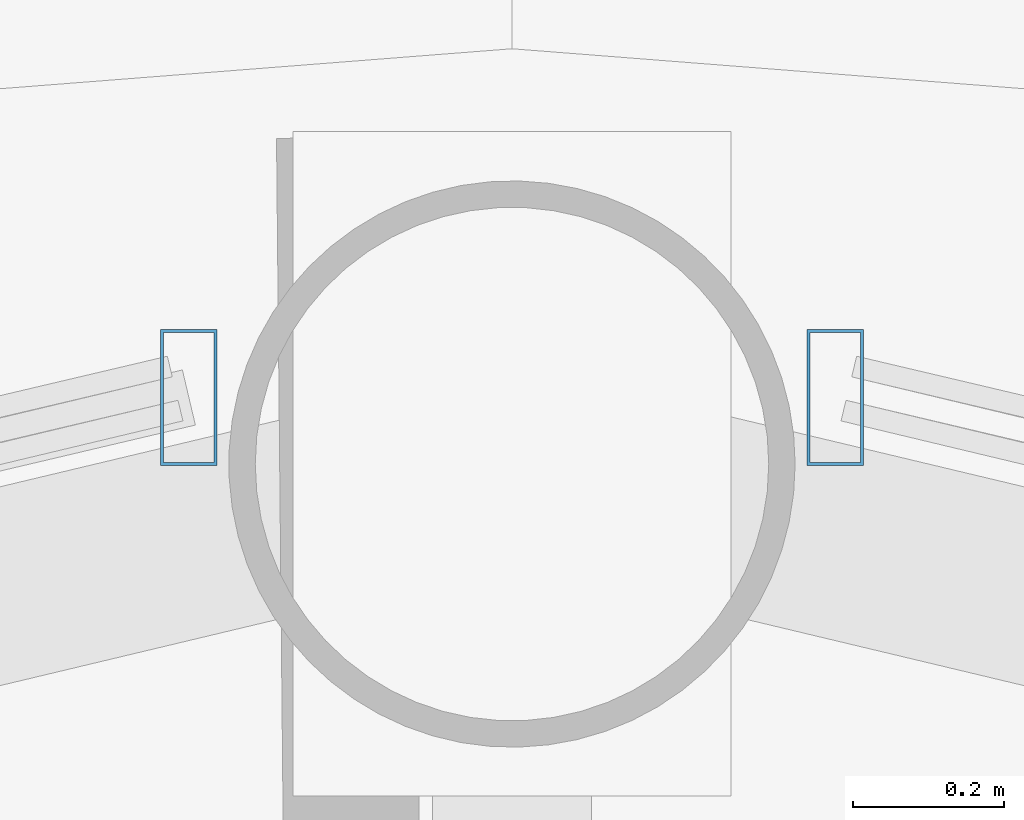
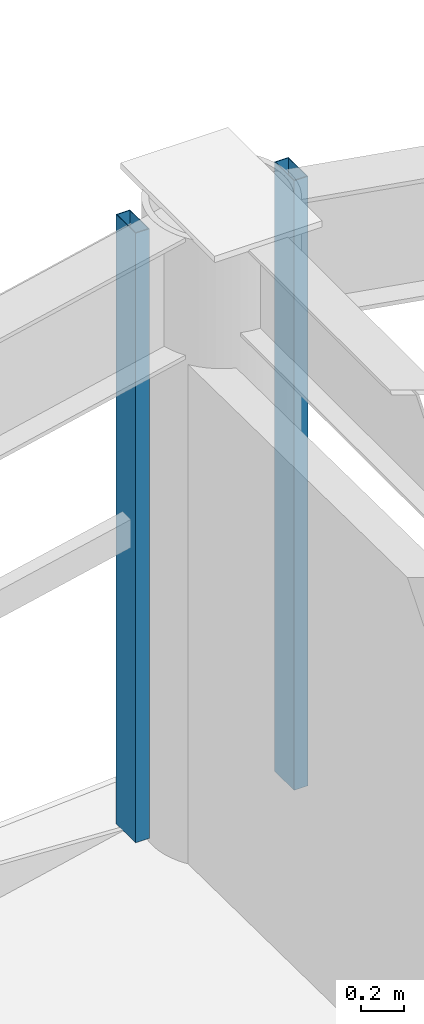
# One storey, part 18 of 31: 2 members, 2 elements without a shape of their own.
"""IFC4 building model written with IfcOpenShell, lengths in metres."""

from ifc_helpers import new_model, si_unit, direction, frame, origin, origin_2d, place, context, subcontext, project, spatial, hollow_rectangle, extrude, material, layer, layer_set, material_profile, profile_set, type_object, element, aggregate, save


model = new_model("IFC4")

# Units and contexts
model_context = context("Model", 3, precision=1e-05, world=origin(), true_north=direction((0.0, 1.0)))
body_context = subcontext(model_context, "Body", "Model", "MODEL_VIEW")
ifc_project = project(units=[si_unit("LENGTHUNIT", "METRE"), si_unit("AREAUNIT", "SQUARE_METRE"), si_unit("VOLUMEUNIT", "CUBIC_METRE"), si_unit("PLANEANGLEUNIT", "RADIAN"), si_unit("MASSUNIT", "GRAM", prefix="KILO")], contexts=[model_context])

# Site, building, storey
site_placement = place(None, origin())
site = spatial("IfcSite", under=ifc_project, at=site_placement, CompositionType="ELEMENT")
building_placement = place(site_placement, origin())
building = spatial("IfcBuilding", under=site, at=building_placement, Name="Vantalir Tower", CompositionType="ELEMENT")
storey_placement = place(building_placement, frame((0.0, 0.0, 123.449951171875)))
storey = spatial("IfcBuildingStorey", under=building, at=storey_placement, Name="L30", CompositionType="ELEMENT", Elevation=123.449951171875)

# Curtain wall, member
ifc_material_1 = material(Name="Champagne-silver PVDF aluminium and double-silver Low-E glass", Category="aluminium")
ifc_layer = layer(ifc_material_1, 0.199951171875)
ifc_layer_set = layer_set([ifc_layer], Name="Champagne-silver PVDF aluminium and double-silver Low-E glass")
curtain_wall_type = type_object("IfcCurtainWallType", Name="CW-DIAMOND-Z2", PredefinedType="USERDEFINED", material=ifc_layer_set)
curtain_wall_1_placement = place(storey_placement, origin())
curtain_wall_1 = element("IfcCurtainWall", 1, at=curtain_wall_1_placement, inside=storey, type_object=curtain_wall_type, Name="L30 Quilted Pyramid-Diamond Curtain Wall S03", ObjectType="UNITISED CURTAIN WALL", PredefinedType="USERDEFINED")
ifc_material_2 = material(Name="Champagne-silver PVDF aluminium 6063-T6", Category="aluminium")
ifc_material_profile = material_profile(ifc_material_2, hollow_rectangle(XDim=0.074951171875, YDim=0.179931640625, WallThickness=0.00390625, at=origin_2d()), Name="Champagne-silver PVDF aluminium 6063-T6")
ifc_profile_set = profile_set([ifc_material_profile], Name="Champagne-silver PVDF aluminium 6063-T6")
member_type = type_object("IfcMemberType", Name="CWM-180x75", PredefinedType="MULLION", material=ifc_profile_set)
member_1_placement = place(storey_placement, frame((31.927978515625, 47.654052734375, 0.045166015625), z_axis=(0.0, 0.0, 1.0), x_axis=(1.0, 0.0, 0.0)))
member_1 = element("IfcMember", 2, at=member_1_placement, type_object=member_type, Name="CW-L30-S03 Mullion 2", PredefinedType="MULLION", context=body_context, shape_type="SweptSolid", body=[
    extrude(hollow_rectangle(XDim=0.074951171875, YDim=0.179931640625, WallThickness=0.00390625, at=origin_2d()), origin(), (0.0, 0.0, 1.0), 3.47998046875),
])
aggregate(curtain_wall_1, [member_1])

curtain_wall_2_placement = place(storey_placement, origin())
curtain_wall_2 = element("IfcCurtainWall", 3, at=curtain_wall_2_placement, inside=storey, type_object=curtain_wall_type, Name="L30 Quilted Pyramid-Diamond Curtain Wall S04", ObjectType="UNITISED CURTAIN WALL", PredefinedType="USERDEFINED")
member_2_placement = place(storey_placement, frame((31.072021484375, 47.654052734375, 0.045166015625), z_axis=(0.0, 0.0, 1.0), x_axis=(1.0, 0.0, 0.0)))
member_2 = element("IfcMember", 4, at=member_2_placement, type_object=member_type, Name="CW-L30-S04 Mullion 1", PredefinedType="MULLION", context=body_context, shape_type="SweptSolid", body=[
    extrude(hollow_rectangle(XDim=0.074951171875, YDim=0.179931640625, WallThickness=0.00390625, at=origin_2d()), origin(), (0.0, 0.0, 1.0), 3.47998046875),
])
aggregate(curtain_wall_2, [member_2])

save(model, "model.ifc")
